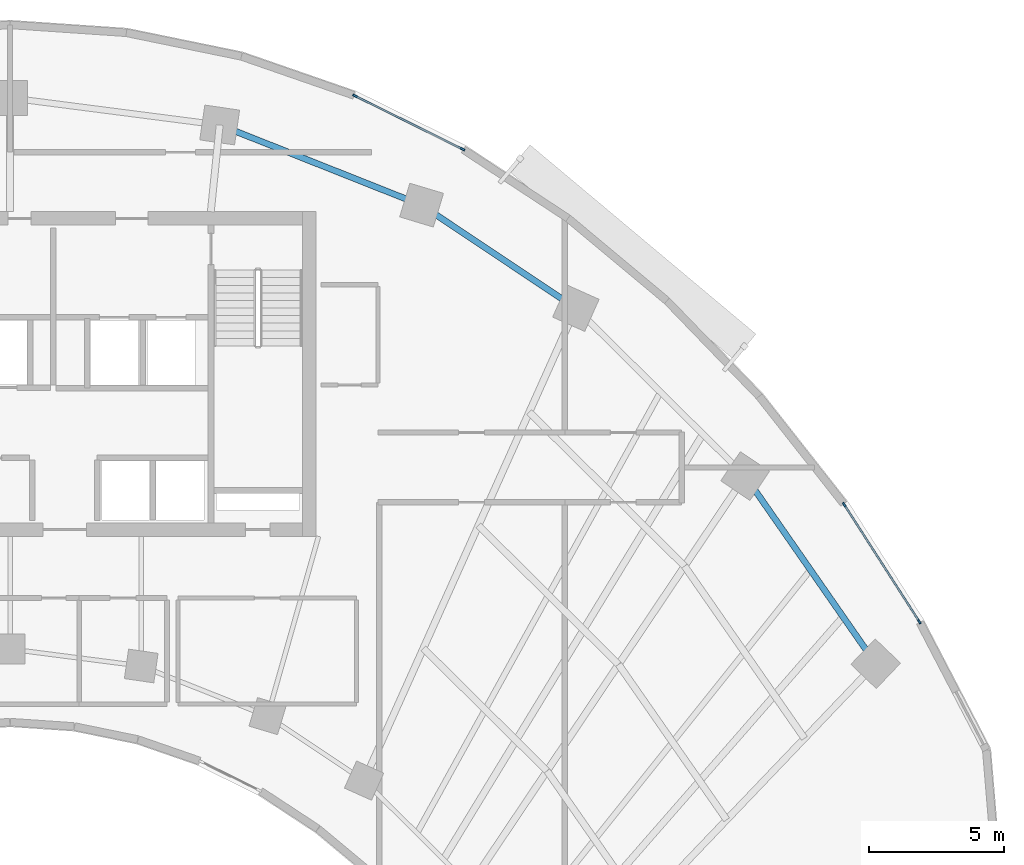
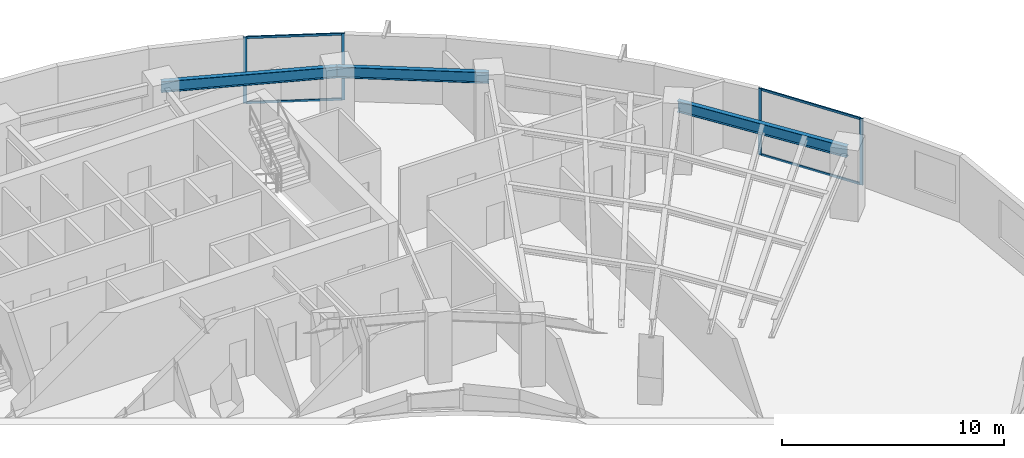
# One storey, part 6 of 14: 8 members, 3 beams, 2 elements without a shape of their own.
"""IFC4 building model written with IfcOpenShell, lengths in metres."""

from ifc_helpers import new_model, si_unit, direction, frame, origin, origin_2d, place, context, subcontext, project, spatial, rectangle, i_section, extrude, source, transform, mapped, material, layer, layer_set, material_profile, profile_set, type_object, element, aggregate, save


model = new_model("IFC4")

# Units and contexts
model_context = context("Model", 3, precision=1e-05, world=origin(), true_north=direction((0.0, 1.0)))
body_context = subcontext(model_context, "Body", "Model", "MODEL_VIEW")
ifc_project = project(units=[si_unit("LENGTHUNIT", "METRE"), si_unit("AREAUNIT", "SQUARE_METRE"), si_unit("VOLUMEUNIT", "CUBIC_METRE"), si_unit("PLANEANGLEUNIT", "RADIAN"), si_unit("MASSUNIT", "GRAM", prefix="KILO")], contexts=[model_context])

# Site, building, storey
site_placement = place(None, origin())
site = spatial("IfcSite", under=ifc_project, at=site_placement, CompositionType="ELEMENT")
building_placement = place(site_placement, origin())
building = spatial("IfcBuilding", under=site, at=building_placement, Name="Breltana Convention Tower", CompositionType="ELEMENT")
storey_placement = place(building_placement, frame((0.0, 0.0, 115.5)))
storey = spatial("IfcBuildingStorey", under=building, at=storey_placement, Name="L27", CompositionType="ELEMENT", Elevation=115.5)

# Beams
ifc_material_1 = material(Name="Steel ASTM A992 Grade 50", Category="steel")
ifc_material_profile_1 = material_profile(ifc_material_1, i_section(OverallWidth=0.22802734375, OverallDepth=0.60791015625, WebThickness=0.01123046875, FlangeThickness=0.017333984375, at=origin_2d()), Name="W24X76")
ifc_profile_set_1 = profile_set([ifc_material_profile_1], Name="Steel ASTM A992 Grade 50")
beam_type = type_object("IfcBeamType", Name="BM-SP-W24X76", PredefinedType="SPANDREL", material=ifc_profile_set_1)
shared_shape_1 = source(origin(), body_context, "Body", "SweptSolid", [
    extrude(i_section(OverallWidth=0.22802734375, OverallDepth=0.60791015625, WebThickness=0.01123046875, FlangeThickness=0.017333984375, at=origin_2d()), origin(), (0.0, 0.0, 1.0), 8.028564453125),
])
beam_1_placement = place(storey_placement, frame((55.746826171875, 75.404296875, 3.345947265625), z_axis=(0.929459100394, -0.368925169507, 0.0), x_axis=(0.368925169507, 0.929459100394, 0.0)))
element("IfcBeam", 1, at=beam_1_placement, inside=storey, type_object=beam_type, Name="L27 Outer Spandrel Beam 07", PredefinedType="SPANDREL", context=body_context, shape_type="MappedRepresentation", body=[
    mapped(shared_shape_1, transform((0.0, 0.0, 0.0), scale=1.0)),
])
shared_shape_2 = source(origin(), body_context, "Body", "SweptSolid", [
    extrude(i_section(OverallWidth=0.22802734375, OverallDepth=0.60791015625, WebThickness=0.01123046875, FlangeThickness=0.017333984375, at=origin_2d()), origin(), (0.0, 0.0, 1.0), 6.856689453125),
])
beam_2_placement = place(storey_placement, frame((63.208984375, 72.4423828125, 3.345947265625), z_axis=(0.83150210718, -0.55552159792, 0.0), x_axis=(0.55552159792, 0.83150210718, 0.0)))
element("IfcBeam", 2, at=beam_2_placement, inside=storey, type_object=beam_type, Name="L27 Outer Spandrel Beam 08", PredefinedType="SPANDREL", context=body_context, shape_type="MappedRepresentation", body=[
    mapped(shared_shape_2, transform((0.0, 0.0, 0.0), scale=1.0)),
])
shared_shape_3 = source(origin(), body_context, "Body", "SweptSolid", [
    extrude(i_section(OverallWidth=0.22802734375, OverallDepth=0.60791015625, WebThickness=0.01123046875, FlangeThickness=0.017333984375, at=origin_2d()), origin(), (0.0, 0.0, 1.0), 8.44970703125),
])
beam_3_placement = place(storey_placement, frame((75.166748046875, 62.43017578125, 3.345947265625), z_axis=(0.5711855381, -0.820820979913, 0.0), x_axis=(0.820820979913, 0.5711855381, 0.0)))
element("IfcBeam", 3, at=beam_3_placement, inside=storey, type_object=beam_type, Name="L27 Outer Spandrel Beam 10", PredefinedType="SPANDREL", context=body_context, shape_type="MappedRepresentation", body=[
    mapped(shared_shape_3, transform((0.0, 0.0, 0.0), scale=1.0)),
])

# Curtain wall, members
ifc_material_2 = material(Name="Aluminium Anodised Bronze Frame", Category="aluminium")
ifc_layer = layer(ifc_material_2, 0.22998046875, Name="Aluminium Anodised Bronze Frame")
ifc_layer_set = layer_set([ifc_layer], Name="Aluminium Anodised Bronze Frame")
curtain_wall_type = type_object("IfcCurtainWallType", Name="CW-SYS-5", PredefinedType="NOTDEFINED", material=ifc_layer_set)
curtain_wall_1_placement = place(storey_placement, origin())
curtain_wall_1 = element("IfcCurtainWall", 4, at=curtain_wall_1_placement, inside=storey, type_object=curtain_wall_type, Name="L27 outer double-skin inner glazing 4", PredefinedType="NOTDEFINED")
ifc_material_3 = material(Name="Aluminium Anodised Bronze", Category="aluminium")
ifc_material_profile_2 = material_profile(ifc_material_3, rectangle(XDim=0.070068359375, YDim=0.175048828125, at=origin_2d()), Name="CWM-70X175")
ifc_profile_set_2 = profile_set([ifc_material_profile_2], Name="Aluminium Anodised Bronze")
member_type_1 = type_object("IfcMemberType", Name="CWM-175", PredefinedType="MULLION", material=ifc_profile_set_2)
shared_shape_4 = source(origin(), body_context, "Body", "SweptSolid", [
    extrude(rectangle(XDim=0.070068359375, YDim=0.175048828125, at=origin_2d()), origin(), (0.0, 0.0, 1.0), 3.64990234375),
])
member_1_placement = place(storey_placement, frame((60.74560546875, 76.48193359375, 0.0), z_axis=(0.0, 0.0, 1.0), x_axis=(0.444121541007, 0.895966548937, 0.0)))
member_1 = element("IfcMember", 5, at=member_1_placement, type_object=member_type_1, Name="CW-05 mullion 1", PredefinedType="MULLION", context=body_context, shape_type="MappedRepresentation", body=[
    mapped(shared_shape_4, transform((0.0, 0.0, 0.0), scale=1.0)),
])
member_2_placement = place(storey_placement, frame((64.719970703125, 74.511962890625, 0.0), z_axis=(0.0, 0.0, 1.0), x_axis=(0.444121541007, 0.895966548937, 0.0)))
member_2 = element("IfcMember", 6, at=member_2_placement, type_object=member_type_1, Name="CW-05 mullion 2", PredefinedType="MULLION", context=body_context, shape_type="MappedRepresentation", body=[
    mapped(shared_shape_4, transform((0.0, 0.0, 0.0), scale=1.0)),
])

curtain_wall_2_placement = place(storey_placement, origin())
curtain_wall_2 = element("IfcCurtainWall", 7, at=curtain_wall_2_placement, inside=storey, type_object=curtain_wall_type, Name="L27 outer double-skin inner glazing 5", PredefinedType="NOTDEFINED")
member_3_placement = place(storey_placement, frame((78.830322265625, 61.370849609375, 0.0), z_axis=(0.0, 0.0, 1.0), x_axis=(0.84155155167, 0.540176809834, 0.0)))
member_3 = element("IfcMember", 8, at=member_3_placement, type_object=member_type_1, Name="CW-05 mullion 1", PredefinedType="MULLION", context=body_context, shape_type="MappedRepresentation", body=[
    mapped(shared_shape_4, transform((0.0, 0.0, 0.0), scale=1.0)),
])
member_4_placement = place(storey_placement, frame((81.604248046875, 57.049560546875, 0.0), z_axis=(0.0, 0.0, 1.0), x_axis=(0.84155155167, 0.540176809834, 0.0)))
member_4 = element("IfcMember", 9, at=member_4_placement, type_object=member_type_1, Name="CW-05 mullion 2", PredefinedType="MULLION", context=body_context, shape_type="MappedRepresentation", body=[
    mapped(shared_shape_4, transform((0.0, 0.0, 0.0), scale=1.0)),
])

# Member
ifc_material_profile_3 = material_profile(ifc_material_3, rectangle(XDim=0.070068359375, YDim=0.1201171875, at=origin_2d()), Name="CWT-70X120")
ifc_profile_set_3 = profile_set([ifc_material_profile_3], Name="Aluminium Anodised Bronze")
member_type_2 = type_object("IfcMemberType", Name="CWT-120", PredefinedType="USERDEFINED", material=ifc_profile_set_3)
shared_shape_5 = source(origin(), body_context, "Body", "SweptSolid", [
    extrude(rectangle(XDim=0.070068359375, YDim=0.1201171875, at=origin_2d()), origin(), (0.0, 0.0, 1.0), 4.365478515625),
])
member_5_placement = place(storey_placement, frame((60.777099609375, 76.46630859375, 0.034912109375), z_axis=(0.89595425125, -0.44414634938, 0.0), x_axis=(0.44414634938, 0.89595425125, 0.0)))
member_5 = element("IfcMember", 10, at=member_5_placement, type_object=member_type_2, Name="CW-05 transom 1.1", ObjectType="TRANSOM", PredefinedType="USERDEFINED", context=body_context, shape_type="MappedRepresentation", body=[
    mapped(shared_shape_5, transform((0.0, 0.0, 0.0), scale=1.0)),
])

member_6_placement = place(storey_placement, frame((60.777099609375, 76.46630859375, 3.614990234375), z_axis=(0.89595425125, -0.44414634938, 0.0), x_axis=(0.44414634938, 0.89595425125, 0.0)))
member_6 = element("IfcMember", 11, at=member_6_placement, type_object=member_type_2, Name="CW-05 transom 1.2", ObjectType="TRANSOM", PredefinedType="USERDEFINED", context=body_context, shape_type="MappedRepresentation", body=[
    mapped(shared_shape_5, transform((0.0, 0.0, 0.0), scale=1.0)),
])

aggregate(curtain_wall_1, [member_1, member_2, member_5, member_6])

shared_shape_6 = source(origin(), body_context, "Body", "SweptSolid", [
    extrude(rectangle(XDim=0.070068359375, YDim=0.1201171875, at=origin_2d()), origin(), (0.0, 0.0, 1.0), 5.065185546875),
])
member_7_placement = place(storey_placement, frame((78.849365234375, 61.341552734375, 0.034912109375), z_axis=(0.540167932383, -0.84155724988, 0.0), x_axis=(0.84155724988, 0.540167932383, 0.0)))
member_7 = element("IfcMember", 12, at=member_7_placement, type_object=member_type_2, Name="CW-05 transom 1.1", ObjectType="TRANSOM", PredefinedType="USERDEFINED", context=body_context, shape_type="MappedRepresentation", body=[
    mapped(shared_shape_6, transform((0.0, 0.0, 0.0), scale=1.0)),
])

member_8_placement = place(storey_placement, frame((78.849365234375, 61.341552734375, 3.614990234375), z_axis=(0.540167932383, -0.84155724988, 0.0), x_axis=(0.84155724988, 0.540167932383, 0.0)))
member_8 = element("IfcMember", 13, at=member_8_placement, type_object=member_type_2, Name="CW-05 transom 1.2", ObjectType="TRANSOM", PredefinedType="USERDEFINED", context=body_context, shape_type="MappedRepresentation", body=[
    mapped(shared_shape_6, transform((0.0, 0.0, 0.0), scale=1.0)),
])

aggregate(curtain_wall_2, [member_3, member_4, member_7, member_8])

save(model, "model.ifc")
